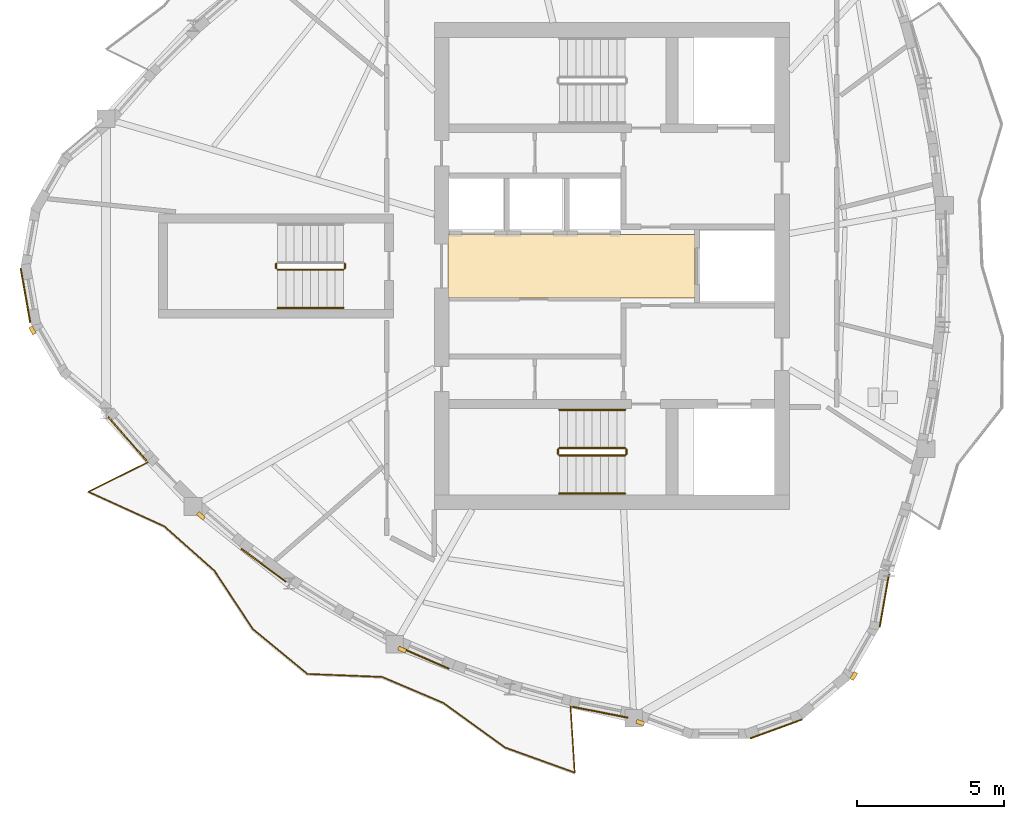
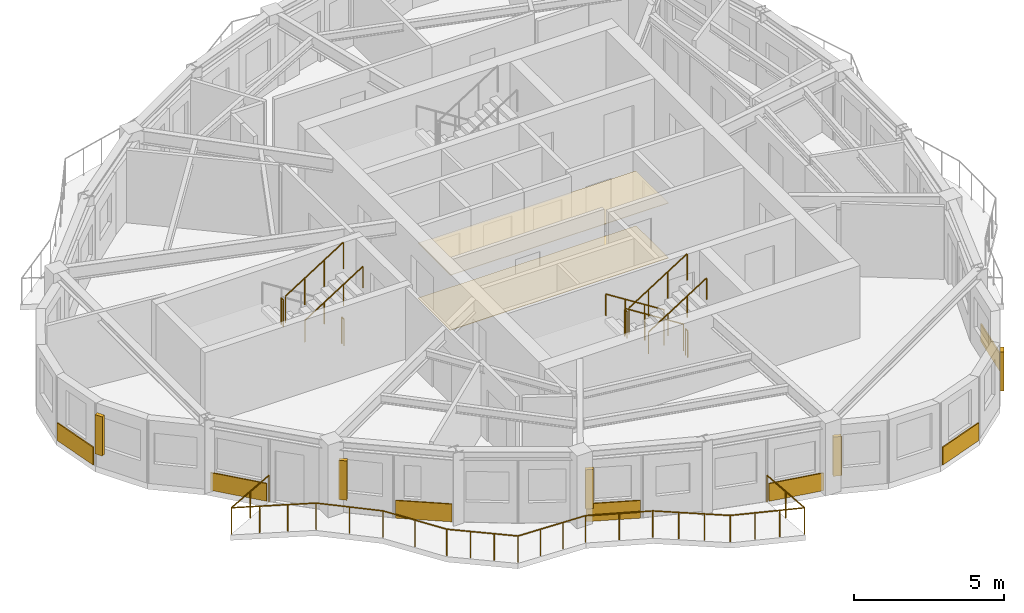
# One storey, part 8 of 11: 11 railings, 9 coverings, 5 shading devices.
"""IFC4 building model written with IfcOpenShell, lengths in metres."""

from ifc_helpers import new_model, si_unit, direction, frame, origin, origin_2d, place, context, subcontext, project, spatial, polyline, rectangle, circle, outline, extrude, source, transform, mapped, material, layer, layer_set, type_object, element, save


model = new_model("IFC4")

# Units and contexts
model_context = context("Model", 3, precision=1e-05, world=origin(), true_north=direction((0.0, 1.0)))
body_context = subcontext(model_context, "Body", "Model", "MODEL_VIEW")
ifc_project = project(units=[si_unit("LENGTHUNIT", "METRE"), si_unit("AREAUNIT", "SQUARE_METRE"), si_unit("VOLUMEUNIT", "CUBIC_METRE"), si_unit("PLANEANGLEUNIT", "RADIAN"), si_unit("MASSUNIT", "GRAM", prefix="KILO")], contexts=[model_context])

# Site, building, storey
site_placement = place(None, origin())
site = spatial("IfcSite", under=ifc_project, at=site_placement, CompositionType="ELEMENT")
building_placement = place(site_placement, origin())
building = spatial("IfcBuilding", under=site, at=building_placement, Name="Qafzar Sky-Pleat Residences", CompositionType="ELEMENT")
storey_placement = place(building_placement, frame((0.0, 0.0, 240.39990234375)))
storey = spatial("IfcBuildingStorey", under=building, at=storey_placement, Name="L72", CompositionType="ELEMENT", Elevation=240.39990234375)

# Coverings
ifc_material_1 = material(Name="Perforated acoustic gypsum board ceiling")
ifc_layer_1 = layer(ifc_material_1, 0.02001953125)
ifc_layer_set_1 = layer_set([ifc_layer_1], Name="Perforated acoustic gypsum board ceiling")
covering_type_1 = type_object("IfcCoveringType", Name="COV-CEIL-ACOUSTIC", PredefinedType="CEILING", material=ifc_layer_set_1)
covering_1_placement = place(storey_placement, frame((0.0, 0.0, 2.239990234375)))
element("IfcCovering", 1, at=covering_1_placement, inside=storey, type_object=covering_type_1, Name="L72 Passenger Lift Lobby Acoustic Ceiling", PredefinedType="CEILING", context=body_context, shape_type="SweptSolid", body=[
    extrude(outline(polyline([(33.179931640625, 24.919921875), (24.77001953125, 24.919921875), (24.77001953125, 27.080078125), (33.179931640625, 27.080078125), (33.179931640625, 24.919921875)])), origin(), (0.0, 0.0, 1.0), 0.02001953125),
])
ifc_material_2 = material(Name="Honed porcelain and Riyadh stone tile flooring", Category="masonry")
ifc_layer_2 = layer(ifc_material_2, 0.02001953125)
ifc_layer_set_2 = layer_set([ifc_layer_2], Name="Honed porcelain and Riyadh stone tile flooring")
covering_type_2 = type_object("IfcCoveringType", Name="COV-FLR-PORCELAIN", PredefinedType="FLOORING", material=ifc_layer_set_2)
covering_2_placement = place(storey_placement, origin())
element("IfcCovering", 2, at=covering_2_placement, inside=storey, type_object=covering_type_2, Name="L72 Passenger Lift Lobby Honed Stone Flooring", PredefinedType="FLOORING", context=body_context, shape_type="SweptSolid", body=[
    extrude(outline(polyline([(33.179931640625, 24.919921875), (24.77001953125, 24.919921875), (24.77001953125, 27.080078125), (33.179931640625, 27.080078125), (33.179931640625, 24.919921875)])), origin(), (0.0, 0.0, 1.0), 0.02001953125),
])

# Shading devices
ifc_material_3 = material(Name="Honed Riyadh limestone solar fin", Category="masonry")
ifc_layer_3 = layer(ifc_material_3, 0.139892578125)
ifc_layer_set_3 = layer_set([ifc_layer_3], Name="Honed Riyadh limestone solar fin")
shading_device_type = type_object("IfcShadingDeviceType", Name="SHD-FIN-STONE", PredefinedType="SHUTTER", material=ifc_layer_set_3)
shared_shape_1 = source(origin(), body_context, "Body", "SweptSolid", [
    extrude(rectangle(XDim=0.139892578125, YDim=0.280029296875, at=origin_2d()), origin(), (0.0, 0.0, 1.0), 1.60009765625),
])
for number, where, z_axis, x_axis, name in (
    (3, (10.6044921875, 23.80859375, 0.60009765625), (0.0, 0.0, 1.0), (-0.86604422228, -0.499967403994, 0.0), "L72 Limestone Solar Fin 5"),
    (4, (16.344482421875, 17.4892578125, 0.60009765625), (0.0, 0.0, 1.0), (-0.652846034361, -0.757490630582, 0.0), "L72 Limestone Solar Fin 9"),
    (5, (23.202392578125, 12.927734375, 0.60009765625), (0.0, 0.0, 1.0), (-0.398671879027, -0.917093633646, 0.0), "L72 Limestone Solar Fin 13"),
    (6, (31.318115234375, 10.443115234375, 0.60009765625), (0.0, 0.0, 1.0), (-0.342010122116, -0.939696268148, 0.0), "L72 Limestone Solar Fin 17"),
    (7, (38.595458984375, 12.03076171875, 0.60009765625), (0.0, 0.0, 1.0), (0.86603181203, -0.499988900429, 0.0), "L72 Limestone Solar Fin 21"),
):
    element("IfcShadingDevice", number, at=place(storey_placement, frame(where, z_axis=z_axis, x_axis=x_axis)), inside=storey, type_object=shading_device_type, Name=name, PredefinedType="SHUTTER", context=body_context, shape_type="MappedRepresentation", body=[
        mapped(shared_shape_1, transform((0.0, 0.0, 0.0), x_axis=(1.0, 0.0, 0.0), y_axis=(0.0, 1.0, 0.0), z_axis=(0.0, 0.0, 1.0), scale=1.0)),
    ])

# Coverings
ifc_material_4 = material(Name="Honed Riyadh Tuwaiq limestone cladding", Category="masonry")
ifc_layer_4 = layer(ifc_material_4, 0.044921875)
ifc_layer_set_4 = layer_set([ifc_layer_4], Name="Honed Riyadh Tuwaiq limestone cladding")
covering_type_3 = type_object("IfcCoveringType", Name="COV-CLAD-STONE", PredefinedType="CLADDING", material=ifc_layer_set_4)
shared_shape_2 = source(origin(), body_context, "Body", "SweptSolid", [
    extrude(rectangle(XDim=1.88134765625, YDim=0.044921875, at=origin_2d()), origin(), (0.0, 0.0, 1.0), 0.719970703125),
])
covering_3_placement = place(storey_placement, frame((10.36328125, 25.00439453125, 0.02001953125), z_axis=(0.0, 0.0, 1.0), x_axis=(0.173662519465, -0.984805224059, 0.0)))
element("IfcCovering", 8, at=covering_3_placement, inside=storey, type_object=covering_type_3, Name="L72 Riyadh Limestone Spandrel Cladding 4", PredefinedType="CLADDING", context=body_context, shape_type="MappedRepresentation", body=[
    mapped(shared_shape_2, transform((0.0, 0.0, 0.0), x_axis=(1.0, 0.0, 0.0), y_axis=(0.0, 1.0, 0.0), z_axis=(0.0, 0.0, 1.0), scale=1.0)),
])
shared_shape_3 = source(origin(), body_context, "Body", "SweptSolid", [
    extrude(rectangle(XDim=1.8291015625, YDim=0.044921875, at=origin_2d()), origin(), (0.0, 0.0, 1.0), 0.719970703125),
])
covering_4_placement = place(storey_placement, frame((39.63671875, 14.592041015625, 0.02001953125), z_axis=(0.0, 0.0, 1.0), x_axis=(0.173687091871, 0.984800890595, 0.0)))
element("IfcCovering", 9, at=covering_4_placement, inside=storey, type_object=covering_type_3, Name="L72 Riyadh Limestone Spandrel Cladding 22", PredefinedType="CLADDING", context=body_context, shape_type="MappedRepresentation", body=[
    mapped(shared_shape_3, transform((0.0, 0.0, 0.0), x_axis=(1.0, 0.0, 0.0), y_axis=(0.0, 1.0, 0.0), z_axis=(0.0, 0.0, 1.0), scale=1.0)),
])
shared_shape_4 = source(origin(), body_context, "Body", "SweptSolid", [
    extrude(rectangle(XDim=1.881103515625, YDim=0.044921875, at=origin_2d()), origin(), (0.0, 0.0, 1.0), 0.719970703125),
])
covering_5_placement = place(storey_placement, frame((35.9560546875, 10.228271484375, 0.02001953125), z_axis=(0.0, 0.0, 1.0), x_axis=(0.939709584691, 0.341973531784, 0.0)))
element("IfcCovering", 10, at=covering_5_placement, inside=storey, type_object=covering_type_3, Name="L72 Riyadh Limestone Spandrel Cladding 19", PredefinedType="CLADDING", context=body_context, shape_type="MappedRepresentation", body=[
    mapped(shared_shape_4, transform((0.0, 0.0, 0.0), x_axis=(1.0, 0.0, 0.0), y_axis=(0.0, 1.0, 0.0), z_axis=(0.0, 0.0, 1.0), scale=1.0)),
])

# Railing
ifc_material_5 = material(Name="Laminated glass and bronze steel balustrade", Category="steel")
railing_type_1 = type_object("IfcRailingType", Name="RAIL-BAL-1100", PredefinedType="BALUSTRADE", material=ifc_material_5)
shared_shape_5 = source(origin(), body_context, "Body", "SweptSolid", [
    extrude(circle(Radius=0.02392578125, at=origin_2d()), frame((0.0, 0.0, 1.076171875), z_axis=(-0.89564942383, -0.444760732971, 0.0), x_axis=(0.444760732971, -0.89564942383, 0.0)), (0.0, 0.0, 1.0), 2.27099609375),
    extrude(circle(Radius=0.02392578125, at=origin_2d()), frame((-2.033935546875, -1.010009765625, 1.076171875), z_axis=(0.910366477463, -0.413802944301, 0.0), x_axis=(0.413802944301, 0.910366477463, 0.0)), (0.0, 0.0, 1.0), 2.8408203125),
    extrude(circle(Radius=0.02392578125, at=origin_2d()), frame((0.55224609375, -2.185546875, 1.076171875), z_axis=(0.748363819433, -0.663288469494, 0.0), x_axis=(0.663288469494, 0.748363819433, 0.0)), (0.0, 0.0, 1.0), 2.2841796875),
    extrude(circle(Radius=0.02392578125, at=origin_2d()), frame((2.26171875, -3.70068359375, 1.076171875), z_axis=(0.550173671464, -0.835050256708, 0.0), x_axis=(0.835050256708, 0.550173671464, 0.0)), (0.0, 0.0, 1.0), 2.381591796875),
    extrude(circle(Radius=0.02392578125, at=origin_2d()), frame((3.572021484375, -5.689453125, 1.076171875), z_axis=(0.772459752686, -0.63506372159, 0.0), x_axis=(0.63506372159, 0.772459752686, 0.0)), (0.0, 0.0, 1.0), 2.40771484375),
    extrude(circle(Radius=0.02392578125, at=origin_2d()), frame((5.431884765625, -7.218505859375, 1.076171875), z_axis=(0.99920889914, -0.039769031662, 0.0), x_axis=(0.039769031662, 0.99920889914, 0.0)), (0.0, 0.0, 1.0), 2.547607421875),
    extrude(circle(Radius=0.02392578125, at=origin_2d()), frame((7.9775390625, -7.31982421875, 1.076171875), z_axis=(0.920510173291, -0.390718595498, 0.0), x_axis=(0.390718595498, 0.920510173291, 0.0)), (0.0, 0.0, 1.0), 2.266357421875),
    extrude(circle(Radius=0.02392578125, at=origin_2d()), frame((10.063720703125, -8.205322265625, 1.076171875), z_axis=(0.810582500659, -0.58562446126, 0.0), x_axis=(0.58562446126, 0.810582500659, 0.0)), (0.0, 0.0, 1.0), 2.595947265625),
    extrude(circle(Radius=0.02392578125, at=origin_2d()), frame((12.16796875, -9.7255859375, 1.076171875), z_axis=(0.940896046859, -0.338695481231, 0.0), x_axis=(0.338695481231, 0.940896046859, 0.0)), (0.0, 0.0, 1.0), 2.52294921875),
    extrude(circle(Radius=0.02392578125, at=origin_2d()), frame((14.541748046875, -10.580078125, 1.076171875), z_axis=(-0.062679484192, 0.998033707979, 0.0), x_axis=(-0.998033707979, -0.062679484192, 0.0)), (0.0, 0.0, 1.0), 2.270751953125),
    extrude(circle(Radius=0.02099609375, at=origin_2d()), origin(), (0.0, 0.0, 1.0), 1.052001953125),
    extrude(circle(Radius=0.02099609375, at=origin_2d()), frame((-1.01708984375, -0.5048828125, 0.0)), (0.0, 0.0, 1.0), 1.052001953125),
    extrude(circle(Radius=0.02099609375, at=origin_2d()), frame((-2.033935546875, -1.010009765625, 0.0)), (0.0, 0.0, 1.0), 1.052001953125),
    extrude(circle(Radius=0.02099609375, at=origin_2d()), frame((-1.171875, -1.40185546875, 0.0)), (0.0, 0.0, 1.0), 1.052001953125),
    extrude(circle(Radius=0.02099609375, at=origin_2d()), frame((-0.309814453125, -1.793701171875, 0.0)), (0.0, 0.0, 1.0), 1.052001953125),
    extrude(circle(Radius=0.02099609375, at=origin_2d()), frame((0.55224609375, -2.185546875, 0.0)), (0.0, 0.0, 1.0), 1.052001953125),
    extrude(circle(Radius=0.02099609375, at=origin_2d()), frame((1.406982421875, -2.943115234375, 0.0)), (0.0, 0.0, 1.0), 1.052001953125),
    extrude(circle(Radius=0.02099609375, at=origin_2d()), frame((2.26171875, -3.70068359375, 0.0)), (0.0, 0.0, 1.0), 1.052001953125),
    extrude(circle(Radius=0.02099609375, at=origin_2d()), frame((2.9169921875, -4.695068359375, 0.0)), (0.0, 0.0, 1.0), 1.052001953125),
    extrude(circle(Radius=0.02099609375, at=origin_2d()), frame((3.572021484375, -5.689453125, 0.0)), (0.0, 0.0, 1.0), 1.052001953125),
    extrude(circle(Radius=0.02099609375, at=origin_2d()), frame((4.19189453125, -6.19921875, 0.0)), (0.0, 0.0, 1.0), 1.052001953125),
    extrude(circle(Radius=0.02099609375, at=origin_2d()), frame((4.81201171875, -6.708740234375, 0.0)), (0.0, 0.0, 1.0), 1.052001953125),
    extrude(circle(Radius=0.02099609375, at=origin_2d()), frame((5.431884765625, -7.218505859375, 0.0)), (0.0, 0.0, 1.0), 1.052001953125),
    extrude(circle(Radius=0.02099609375, at=origin_2d()), frame((6.280517578125, -7.252197265625, 0.0)), (0.0, 0.0, 1.0), 1.052001953125),
    extrude(circle(Radius=0.02099609375, at=origin_2d()), frame((7.12890625, -7.2861328125, 0.0)), (0.0, 0.0, 1.0), 1.052001953125),
    extrude(circle(Radius=0.02099609375, at=origin_2d()), frame((7.9775390625, -7.31982421875, 0.0)), (0.0, 0.0, 1.0), 1.052001953125),
    extrude(circle(Radius=0.02099609375, at=origin_2d()), frame((9.0205078125, -7.7626953125, 0.0)), (0.0, 0.0, 1.0), 1.052001953125),
    extrude(circle(Radius=0.02099609375, at=origin_2d()), frame((10.063720703125, -8.205322265625, 0.0)), (0.0, 0.0, 1.0), 1.052001953125),
    extrude(circle(Radius=0.02099609375, at=origin_2d()), frame((10.76513671875, -8.712158203125, 0.0)), (0.0, 0.0, 1.0), 1.052001953125),
    extrude(circle(Radius=0.02099609375, at=origin_2d()), frame((11.466552734375, -9.21875, 0.0)), (0.0, 0.0, 1.0), 1.052001953125),
    extrude(circle(Radius=0.02099609375, at=origin_2d()), frame((12.16796875, -9.7255859375, 0.0)), (0.0, 0.0, 1.0), 1.052001953125),
    extrude(circle(Radius=0.02099609375, at=origin_2d()), frame((12.959228515625, -10.010498046875, 0.0)), (0.0, 0.0, 1.0), 1.052001953125),
    extrude(circle(Radius=0.02099609375, at=origin_2d()), frame((13.75048828125, -10.295166015625, 0.0)), (0.0, 0.0, 1.0), 1.052001953125),
    extrude(circle(Radius=0.02099609375, at=origin_2d()), frame((14.541748046875, -10.580078125, 0.0)), (0.0, 0.0, 1.0), 1.052001953125),
    extrude(circle(Radius=0.02099609375, at=origin_2d()), frame((14.470703125, -9.44677734375, 0.0)), (0.0, 0.0, 1.0), 1.052001953125),
    extrude(circle(Radius=0.02099609375, at=origin_2d()), frame((14.3994140625, -8.313720703125, 0.0)), (0.0, 0.0, 1.0), 1.052001953125),
])
railing_1_placement = place(storey_placement, frame((14.542724609375, 19.318359375, 0.0)))
element("IfcRailing", 11, at=railing_1_placement, inside=storey, type_object=railing_type_1, Name="L72 Pleated Balcony 3 Balustrade", PredefinedType="BALUSTRADE", context=body_context, shape_type="MappedRepresentation", body=[
    mapped(shared_shape_5, transform((0.0, 0.0, 0.0), x_axis=(1.0, 0.0, 0.0), y_axis=(0.0, 1.0, 0.0), z_axis=(0.0, 0.0, 1.0), scale=1.0)),
])

# Coverings
shared_shape_6 = source(origin(), body_context, "Body", "SweptSolid", [
    extrude(rectangle(XDim=1.99169921875, YDim=0.044921875, at=origin_2d()), origin(), (0.0, 0.0, 1.0), 0.719970703125),
])
covering_6_placement = place(storey_placement, frame((13.834228515625, 20.114013671875, 0.02001953125), z_axis=(0.0, 0.0, 1.0), x_axis=(0.657605136611, -0.753362783991, 0.0)))
element("IfcCovering", 12, at=covering_6_placement, inside=storey, type_object=covering_type_3, Name="L72 Riyadh Limestone Spandrel Cladding 7", PredefinedType="CLADDING", context=body_context, shape_type="MappedRepresentation", body=[
    mapped(shared_shape_6, transform((0.0, 0.0, 0.0), x_axis=(1.0, 0.0, 0.0), y_axis=(0.0, 1.0, 0.0), z_axis=(0.0, 0.0, 1.0), scale=1.0)),
])
shared_shape_7 = source(origin(), body_context, "Body", "SweptSolid", [
    extrude(rectangle(XDim=1.897216796875, YDim=0.044921875, at=origin_2d()), origin(), (0.0, 0.0, 1.0), 0.719970703125),
])
covering_7_placement = place(storey_placement, frame((18.48046875, 15.8046875, 0.02001953125), z_axis=(0.0, 0.0, 1.0), x_axis=(0.803820124784, -0.594872429174, 0.0)))
element("IfcCovering", 13, at=covering_7_placement, inside=storey, type_object=covering_type_3, Name="L72 Riyadh Limestone Spandrel Cladding 10", PredefinedType="CLADDING", context=body_context, shape_type="MappedRepresentation", body=[
    mapped(shared_shape_7, transform((0.0, 0.0, 0.0), x_axis=(1.0, 0.0, 0.0), y_axis=(0.0, 1.0, 0.0), z_axis=(0.0, 0.0, 1.0), scale=1.0)),
])
shared_shape_8 = source(origin(), body_context, "Body", "SweptSolid", [
    extrude(rectangle(XDim=1.83447265625, YDim=0.044921875, at=origin_2d()), origin(), (0.0, 0.0, 1.0), 0.719970703125),
])
covering_8_placement = place(storey_placement, frame((23.96240234375, 12.644287109375, 0.02001953125), z_axis=(0.0, 0.0, 1.0), x_axis=(0.917087215787, -0.398686642165, 0.0)))
element("IfcCovering", 14, at=covering_8_placement, inside=storey, type_object=covering_type_3, Name="L72 Riyadh Limestone Spandrel Cladding 13", PredefinedType="CLADDING", context=body_context, shape_type="MappedRepresentation", body=[
    mapped(shared_shape_8, transform((0.0, 0.0, 0.0), x_axis=(1.0, 0.0, 0.0), y_axis=(0.0, 1.0, 0.0), z_axis=(0.0, 0.0, 1.0), scale=1.0)),
])
shared_shape_9 = source(origin(), body_context, "Body", "SweptSolid", [
    extrude(rectangle(XDim=1.928466796875, YDim=0.044921875, at=origin_2d()), origin(), (0.0, 0.0, 1.0), 0.719970703125),
])
covering_9_placement = place(storey_placement, frame((29.951171875, 10.7958984375, 0.02001953125), z_axis=(0.0, 0.0, 1.0), x_axis=(0.98123037455, -0.192839187047, 0.0)))
element("IfcCovering", 15, at=covering_9_placement, inside=storey, type_object=covering_type_3, Name="L72 Riyadh Limestone Spandrel Cladding 16", PredefinedType="CLADDING", context=body_context, shape_type="MappedRepresentation", body=[
    mapped(shared_shape_9, transform((0.0, 0.0, 0.0), x_axis=(1.0, 0.0, 0.0), y_axis=(0.0, 1.0, 0.0), z_axis=(0.0, 0.0, 1.0), scale=1.0)),
])

# Railings
ifc_material_6 = material(Name="Painted Steel S355 stair guardrail", Category="steel")
railing_type_2 = type_object("IfcRailingType", Name="RAIL-STAIR-GUARD", PredefinedType="GUARDRAIL", material=ifc_material_6)
shared_shape_10 = source(origin(), body_context, "Body", "SweptSolid", [
    extrude(circle(Radius=0.02392578125, at=origin_2d()), frame((0.0, 0.0, 1.076171875), z_axis=(0.0, -1.0, 0.0), x_axis=(1.0, 0.0, 0.0)), (0.0, 0.0, 1.0), 0.14990234375),
    extrude(circle(Radius=0.02099609375, at=origin_2d()), origin(), (0.0, 0.0, 1.0), 1.052001953125),
    extrude(circle(Radius=0.02099609375, at=origin_2d()), frame((0.0, -0.14990234375, 0.0)), (0.0, 0.0, 1.0), 1.052001953125),
])
for number, where, name in (
    (16, (28.510009765625, 19.75, 1.60009765625), "L72 ST1 stair guard 2"),
    (17, (30.85009765625, 19.75, 0.0), "L72 ST1 stair guard 4"),
    (18, (18.909912109375, 26.074951171875, 1.60009765625), "L72 ST3 stair guard 2"),
    (19, (21.25, 26.074951171875, 0.0), "L72 ST3 stair guard 4"),
):
    element("IfcRailing", number, at=place(storey_placement, frame(where)), inside=storey, type_object=railing_type_2, Name=name, PredefinedType="GUARDRAIL", context=body_context, shape_type="MappedRepresentation", body=[
        mapped(shared_shape_10, transform((0.0, 0.0, 0.0), x_axis=(1.0, 0.0, 0.0), y_axis=(0.0, 1.0, 0.0), z_axis=(0.0, 0.0, 1.0), scale=1.0)),
    ])
shared_shape_11 = source(origin(), body_context, "Body", "SweptSolid", [
    extrude(circle(Radius=0.02392578125, at=origin_2d()), frame((0.0, 0.0, 1.076171875), z_axis=(-0.8442293374, 0.0, 0.53598211339), x_axis=(0.0, -1.0, 0.0)), (0.0, 0.0, 1.0), 2.6533203125),
    extrude(circle(Radius=0.02099609375, at=origin_2d()), origin(), (0.0, 0.0, 1.0), 1.052001953125),
    extrude(circle(Radius=0.02099609375, at=origin_2d()), frame((-0.74658203125, 0.0, 0.47412109375)), (0.0, 0.0, 1.0), 1.052001953125),
    extrude(circle(Radius=0.02099609375, at=origin_2d()), frame((-1.493408203125, 0.0, 0.947998046875)), (0.0, 0.0, 1.0), 1.052001953125),
    extrude(circle(Radius=0.02099609375, at=origin_2d()), frame((-2.239990234375, 0.0, 1.422119140625)), (0.0, 0.0, 1.0), 1.052001953125),
])
railing_2_placement = place(storey_placement, frame((30.800048828125, 19.800048828125, 0.177978515625)))
element("IfcRailing", 20, at=railing_2_placement, inside=storey, type_object=railing_type_2, Name="L72 ST1 stair guard 1", PredefinedType="GUARDRAIL", context=body_context, shape_type="MappedRepresentation", body=[
    mapped(shared_shape_11, transform((0.0, 0.0, 0.0), x_axis=(1.0, 0.0, 0.0), y_axis=(0.0, 1.0, 0.0), z_axis=(0.0, 0.0, 1.0), scale=1.0)),
])
ifc_material_7 = material(Name="Brushed stainless steel handrail", Category="steel")
railing_type_3 = type_object("IfcRailingType", Name="RAIL-STAIR-HAND", PredefinedType="HANDRAIL", material=ifc_material_7)
shared_shape_12 = source(origin(), body_context, "Body", "SweptSolid", [
    extrude(circle(Radius=0.02392578125, at=origin_2d()), frame((0.0, 0.0, 0.8759765625), z_axis=(-0.8442293374, 0.0, 0.53598211339), x_axis=(0.0, -1.0, 0.0)), (0.0, 0.0, 1.0), 2.6533203125),
    extrude(circle(Radius=0.02099609375, at=origin_2d()), origin(), (0.0, 0.0, 1.0), 0.851806640625),
    extrude(circle(Radius=0.02099609375, at=origin_2d()), frame((-0.74658203125, 0.0, 0.47412109375)), (0.0, 0.0, 1.0), 0.851806640625),
    extrude(circle(Radius=0.02099609375, at=origin_2d()), frame((-1.493408203125, 0.0, 0.947998046875)), (0.0, 0.0, 1.0), 0.851806640625),
    extrude(circle(Radius=0.02099609375, at=origin_2d()), frame((-2.239990234375, 0.0, 1.422119140625)), (0.0, 0.0, 1.0), 0.851806640625),
])
railing_3_placement = place(storey_placement, frame((30.800048828125, 21.10009765625, 0.177978515625)))
element("IfcRailing", 21, at=railing_3_placement, inside=storey, type_object=railing_type_3, Name="L72 ST1 stair handrail 1", PredefinedType="HANDRAIL", context=body_context, shape_type="MappedRepresentation", body=[
    mapped(shared_shape_12, transform((0.0, 0.0, 0.0), x_axis=(1.0, 0.0, 0.0), y_axis=(0.0, 1.0, 0.0), z_axis=(0.0, 0.0, 1.0), scale=1.0)),
])
shared_shape_13 = source(origin(), body_context, "Body", "SweptSolid", [
    extrude(circle(Radius=0.02392578125, at=origin_2d()), frame((0.0, 0.0, 1.076171875), z_axis=(0.84418770128, 0.0, 0.536047689118), x_axis=(0.0, 1.0, 0.0)), (0.0, 0.0, 1.0), 2.6533203125),
    extrude(circle(Radius=0.02099609375, at=origin_2d()), origin(), (0.0, 0.0, 1.0), 1.052001953125),
    extrude(circle(Radius=0.02099609375, at=origin_2d()), frame((0.74658203125, 0.0, 0.47412109375)), (0.0, 0.0, 1.0), 1.052001953125),
    extrude(circle(Radius=0.02099609375, at=origin_2d()), frame((1.493408203125, 0.0, 0.9482421875)), (0.0, 0.0, 1.0), 1.052001953125),
    extrude(circle(Radius=0.02099609375, at=origin_2d()), frame((2.239990234375, 0.0, 1.42236328125)), (0.0, 0.0, 1.0), 1.052001953125),
])
for number, where, name in (
    (22, (28.56005859375, 19.550048828125, 1.77783203125), "L72 ST1 stair guard 3"),
    (23, (18.9599609375, 25.875, 1.77783203125), "L72 ST3 stair guard 3"),
):
    element("IfcRailing", number, at=place(storey_placement, frame(where)), inside=storey, type_object=railing_type_2, Name=name, PredefinedType="GUARDRAIL", context=body_context, shape_type="MappedRepresentation", body=[
        mapped(shared_shape_13, transform((0.0, 0.0, 0.0), x_axis=(1.0, 0.0, 0.0), y_axis=(0.0, 1.0, 0.0), z_axis=(0.0, 0.0, 1.0), scale=1.0)),
    ])
shared_shape_14 = source(origin(), body_context, "Body", "SweptSolid", [
    extrude(circle(Radius=0.02392578125, at=origin_2d()), frame((0.0, 0.0, 0.8759765625), z_axis=(0.84418770128, 0.0, 0.536047689118), x_axis=(0.0, 1.0, 0.0)), (0.0, 0.0, 1.0), 2.6533203125),
    extrude(circle(Radius=0.02099609375, at=origin_2d()), origin(), (0.0, 0.0, 1.0), 0.851806640625),
    extrude(circle(Radius=0.02099609375, at=origin_2d()), frame((0.74658203125, 0.0, 0.47412109375)), (0.0, 0.0, 1.0), 0.851806640625),
    extrude(circle(Radius=0.02099609375, at=origin_2d()), frame((1.493408203125, 0.0, 0.9482421875)), (0.0, 0.0, 1.0), 0.851806640625),
    extrude(circle(Radius=0.02099609375, at=origin_2d()), frame((2.239990234375, 0.0, 1.42236328125)), (0.0, 0.0, 1.0), 0.851806640625),
])
for number, where, name in (
    (24, (28.56005859375, 18.25, 1.77783203125), "L72 ST1 stair handrail 2"),
    (25, (18.9599609375, 24.574951171875, 1.77783203125), "L72 ST3 stair handrail 2"),
):
    element("IfcRailing", number, at=place(storey_placement, frame(where)), inside=storey, type_object=railing_type_3, Name=name, PredefinedType="HANDRAIL", context=body_context, shape_type="MappedRepresentation", body=[
        mapped(shared_shape_14, transform((0.0, 0.0, 0.0), x_axis=(1.0, 0.0, 0.0), y_axis=(0.0, 1.0, 0.0), z_axis=(0.0, 0.0, 1.0), scale=1.0)),
    ])

save(model, "model.ifc")
